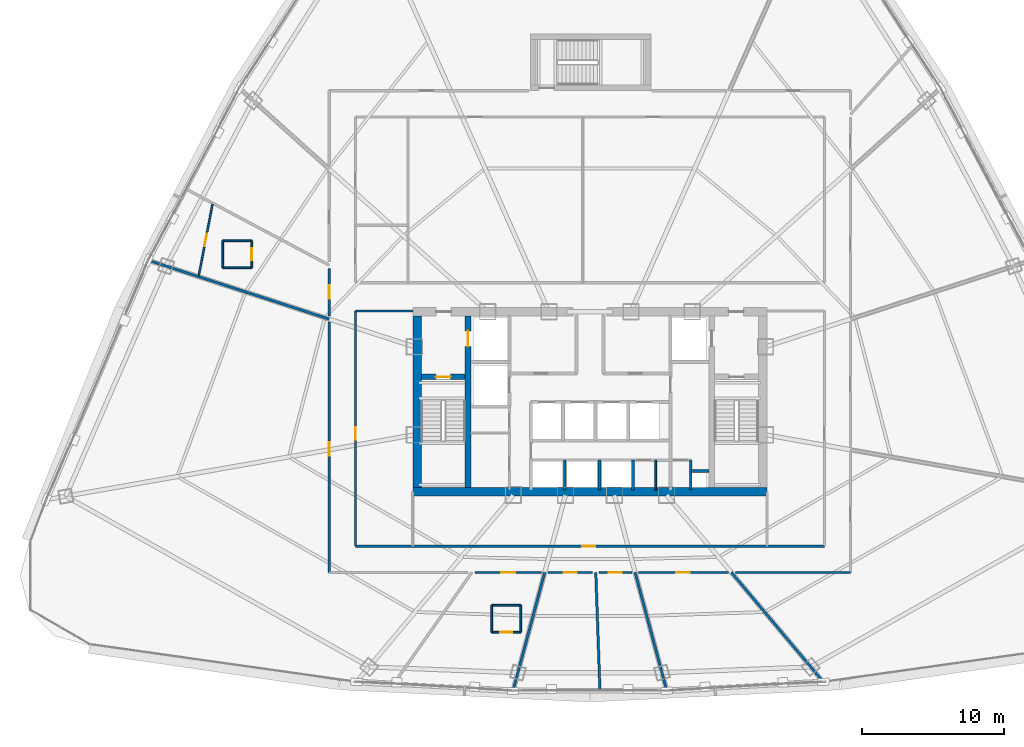
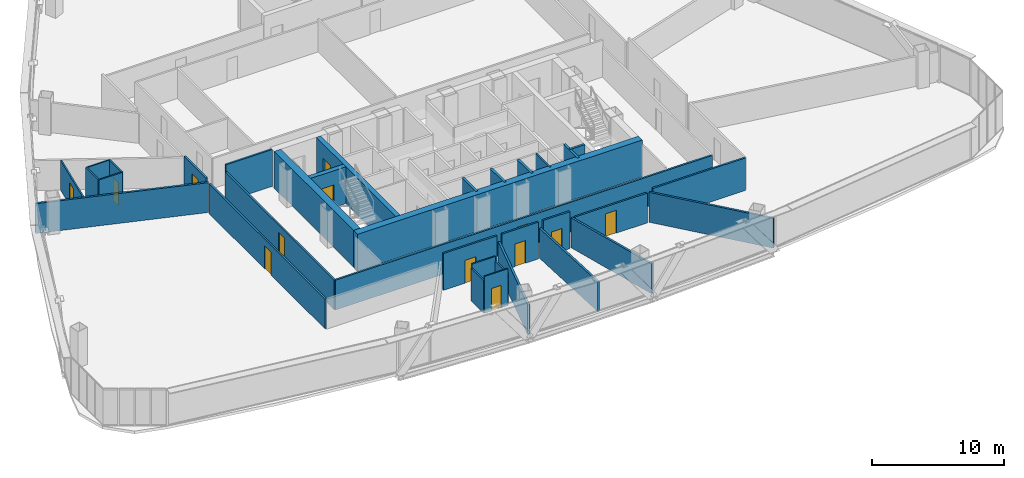
# One storey, part 33 of 40: 34 walls, 13 doors, 13 openings.
"""IFC4 building model written with IfcOpenShell, lengths in metres."""

from ifc_helpers import new_model, si_unit, direction, frame, frame_2d, origin, origin_with_axes, place, context, subcontext, project, spatial, rectangle, extrude, source, transform, mapped, material, layer, layer_set, type_object, element, fill, save


model = new_model("IFC4")

# Units and contexts
model_context = context("Model", 3, precision=1e-05, world=origin(), true_north=direction((0.0, 1.0)))
body_context = subcontext(model_context, "Body", "Model", "MODEL_VIEW")
ifc_project = project(units=[si_unit("LENGTHUNIT", "METRE"), si_unit("AREAUNIT", "SQUARE_METRE"), si_unit("VOLUMEUNIT", "CUBIC_METRE"), si_unit("PLANEANGLEUNIT", "RADIAN"), si_unit("MASSUNIT", "GRAM", prefix="KILO"), si_unit("THERMODYNAMICTEMPERATUREUNIT", "KELVIN"), si_unit("POWERUNIT", "WATT")], contexts=[model_context])

# Site, building, storey
site_placement = place(None, origin())
site = spatial("IfcSite", under=ifc_project, at=site_placement, CompositionType="ELEMENT")
building_placement = place(site_placement, origin())
building = spatial("IfcBuilding", under=site, at=building_placement, Name="Yunzhuo Pagoda Commons", CompositionType="ELEMENT")
storey_placement = place(building_placement, frame((0.0, 0.0, 159.27001953125)))
storey = spatial("IfcBuildingStorey", under=building, at=storey_placement, Name="L40", CompositionType="ELEMENT", Elevation=159.27001953125)

# Walls
ifc_material_1 = material(Name="Concrete C60", Category="concrete")
ifc_layer_1 = layer(ifc_material_1, 0.60009765625)
ifc_layer_set_1 = layer_set([ifc_layer_1], Name="Concrete C60")
wall_type_1 = type_object("IfcWallType", Name="W-C02 Mid Core Shear Wall 600", PredefinedType="SHEAR", material=ifc_layer_set_1)
wall_1_placement = place(storey_placement, frame((35.5, 27.5, 0.0), z_axis=(0.0, 0.0, 1.0), x_axis=(1.0, 0.0, 0.0)))
element("IfcWall", 1, at=wall_1_placement, inside=storey, type_object=wall_type_1, Name="L40 core shear wall S", PredefinedType="SHEAR", context=body_context, shape_type="SweptSolid", body=[
    extrude(rectangle(XDim=25.0, YDim=0.60009765625, at=frame_2d((12.5, 0.0))), origin(), (0.0, 0.0, 1.0), 3.419921875),
])
wall_2_placement = place(storey_placement, frame((35.800048828125, 27.800048828125, 0.0), z_axis=(0.0, 0.0, 1.0), x_axis=(0.0, 1.0, 0.0)))
element("IfcWall", 2, at=wall_2_placement, inside=storey, type_object=wall_type_1, Name="L40 core shear wall W", PredefinedType="SHEAR", context=body_context, shape_type="SweptSolid", body=[
    extrude(rectangle(XDim=12.099853515625, YDim=0.60009765625, at=frame_2d((6.0498046875, 0.0))), origin(), (0.0, 0.0, 1.0), 3.419921875),
])

# Wall, opening, door
ifc_material_2 = material(Name="Gypsum plasterboard on acoustic stud")
ifc_layer_2 = layer(ifc_material_2, 0.155029296875)
ifc_layer_set_2 = layer_set([ifc_layer_2], Name="Gypsum plasterboard on acoustic stud")
wall_type_2 = type_object("IfcWallType", Name="W-COR2 Mid-Zone Rated Corridor Wall 155", PredefinedType="PARTITIONING", material=ifc_layer_set_2)
wall_3_placement = place(storey_placement, frame((31.449951171875, 23.64990234375, 0.0), z_axis=(0.0, 0.0, 1.0), x_axis=(0.0, 1.0, 0.0)))
wall_3 = element("IfcWall", 3, at=wall_3_placement, inside=storey, type_object=wall_type_2, Name="L40 interior wall IW-L40-SFLW", PredefinedType="PARTITIONING", context=body_context, shape_type="SweptSolid", body=[
    extrude(rectangle(XDim=16.60009765625, YDim=0.155029296875, at=frame_2d((8.300048828125, 0.0))), origin(), (0.0, 0.0, 1.0), 2.77001953125),
])
opening_1_placement = place(wall_3_placement, frame((7.5, 0.0, 0.0)))
opening_1 = element("IfcOpeningElement", 4, at=opening_1_placement, cuts=wall_3, Name="Opening D-12", PredefinedType="OPENING", context=body_context, shape_type="SweptSolid", body=[
    extrude(rectangle(XDim=0.89990234375, YDim=2.080078125, at=frame_2d((0.449951171875, 1.0400390625))), frame((0.0, 0.08740234375, 0.0), z_axis=(0.0, -1.0, 0.0), x_axis=(1.0, 0.0, 0.0)), (0.0, 0.0, 1.0), 0.175048828125),
])
ifc_material_3 = material(Name="Powder-coated aluminium and timber acoustic leaf", Category="wood")
door_type_1 = type_object("IfcDoorType", Name="D-12 Quiet Study Interior Door 900x2080", OperationType="NOTDEFINED", PredefinedType="DOOR", material=ifc_material_3)
shared_shape_1 = source(origin(), body_context, "Body", "SweptSolid", [
    extrude(rectangle(XDim=0.89990234375, YDim=2.080078125, at=frame_2d((0.449951171875, 1.0400390625))), frame((0.0, 0.02490234375, 0.0), z_axis=(0.0, -1.0, 0.0), x_axis=(1.0, 0.0, 0.0)), (0.0, 0.0, 1.0), 0.050048828125),
])
door_1_placement = place(opening_1_placement, origin_with_axes())
door_1 = element("IfcDoor", 5, at=door_1_placement, inside=storey, type_object=door_type_1, Name="L40 west study workroom door", OperationType="SINGLE_SWING_LEFT", OverallHeight=2.080078125, OverallWidth=0.89990234375, PredefinedType="DOOR", context=body_context, shape_type="MappedRepresentation", body=[
    mapped(shared_shape_1, transform((0.0, 0.0, 0.0), scale=1.0)),
])
fill(opening_1, door_1)

wall_4_placement = place(storey_placement, frame((31.449951171875, 23.64990234375, 0.0), z_axis=(0.0, 0.0, 1.0), x_axis=(1.0, 0.0, 0.0)))
wall_4 = element("IfcWall", 6, at=wall_4_placement, inside=storey, type_object=wall_type_2, Name="L40 interior wall IW-L40-SFLS", PredefinedType="PARTITIONING", context=body_context, shape_type="SweptSolid", body=[
    extrude(rectangle(XDim=33.10009765625, YDim=0.155029296875, at=frame_2d((16.550048828125, 0.0))), origin(), (0.0, 0.0, 1.0), 2.77001953125),
])
opening_2_placement = place(wall_4_placement, frame((16.0, 0.0, 0.0)))
opening_2 = element("IfcOpeningElement", 7, at=opening_2_placement, cuts=wall_4, Name="Opening D-04", PredefinedType="OPENING", context=body_context, shape_type="SweptSolid", body=[
    extrude(rectangle(XDim=0.919921875, YDim=2.10009765625, at=frame_2d((0.4599609375, 1.050048828125))), frame((0.0, 0.08740234375, 0.0), z_axis=(0.0, -1.0, 0.0), x_axis=(1.0, 0.0, 0.0)), (0.0, 0.0, 1.0), 0.175048828125),
])
door_type_2 = type_object("IfcDoorType", Name="D-04 Bedroom & Study Interior Door 920x2100", OperationType="NOTDEFINED", PredefinedType="DOOR", material=ifc_material_3)
shared_shape_2 = source(origin(), body_context, "Body", "SweptSolid", [
    extrude(rectangle(XDim=0.919921875, YDim=2.10009765625, at=frame_2d((0.4599609375, 1.050048828125))), frame((0.0, 0.02490234375, 0.0), z_axis=(0.0, -1.0, 0.0), x_axis=(1.0, 0.0, 0.0)), (0.0, 0.0, 1.0), 0.050048828125),
])
door_2_placement = place(opening_2_placement, frame((0.919921875, 0.0, 0.0), z_axis=(0.0, 0.0, 1.0), x_axis=(-1.0, 0.0, 0.0)))
door_2 = element("IfcDoor", 8, at=door_2_placement, inside=storey, type_object=door_type_2, Name="L40 south seminar room door", OperationType="SINGLE_SWING_RIGHT", OverallHeight=2.10009765625, OverallWidth=0.919921875, PredefinedType="DOOR", context=body_context, shape_type="MappedRepresentation", body=[
    mapped(shared_shape_2, transform((0.0, 0.0, 0.0), scale=1.0)),
])
fill(opening_2, door_2)

# Wall
wall_5_placement = place(storey_placement, frame((31.449951171875, 40.25, 0.0), z_axis=(0.0, 0.0, 1.0), x_axis=(1.0, 0.0, 0.0)))
element("IfcWall", 9, at=wall_5_placement, inside=storey, type_object=wall_type_2, Name="L40 interior wall IW-L40-SFLNW", PredefinedType="PARTITIONING", context=body_context, shape_type="SweptSolid", body=[
    extrude(rectangle(XDim=4.050048828125, YDim=0.155029296875, at=frame_2d((2.02490234375, 0.0))), origin(), (0.0, 0.0, 1.0), 3.419921875),
])

# Wall, opening, door
wall_6_placement = place(storey_placement, frame((29.60009765625, 21.800048828125, 0.0), z_axis=(0.0, 0.0, 1.0), x_axis=(0.0, 1.0, 0.0)))
wall_6 = element("IfcWall", 10, at=wall_6_placement, inside=storey, type_object=wall_type_2, Name="L40 interior wall IW-L40-CWL01", PredefinedType="PARTITIONING", context=body_context, shape_type="SweptSolid", body=[
    extrude(rectangle(XDim=17.65869140625, YDim=0.155029296875, at=frame_2d((8.829345703125, 0.0))), origin(), (0.0, 0.0, 1.0), 2.77001953125),
])
opening_3_placement = place(wall_6_placement, frame((8.234375, 0.0, 0.0)))
opening_3 = element("IfcOpeningElement", 11, at=opening_3_placement, cuts=wall_6, Name="Opening D-07", PredefinedType="OPENING", context=body_context, shape_type="SweptSolid", body=[
    extrude(rectangle(XDim=0.9599609375, YDim=2.1201171875, at=frame_2d((0.47998046875, 1.06005859375))), frame((0.0, 0.08740234375, 0.0), z_axis=(0.0, -1.0, 0.0), x_axis=(1.0, 0.0, 0.0)), (0.0, 0.0, 1.0), 0.175048828125),
])
ifc_material_4 = material(Name="Galvanized fire-resisting metal leaf")
door_type_3 = type_object("IfcDoorType", Name="D-07 Mid-Zone Suite Entrance Fire Door 960x2120", OperationType="NOTDEFINED", PredefinedType="DOOR", material=ifc_material_4)
shared_shape_3 = source(origin(), body_context, "Body", "SweptSolid", [
    extrude(rectangle(XDim=0.9599609375, YDim=2.1201171875, at=frame_2d((0.47998046875, 1.06005859375))), frame((0.0, 0.02490234375, 0.0), z_axis=(0.0, -1.0, 0.0), x_axis=(1.0, 0.0, 0.0)), (0.0, 0.0, 1.0), 0.050048828125),
])
door_3_placement = place(opening_3_placement, origin_with_axes())
door_3 = element("IfcDoor", 12, at=door_3_placement, inside=storey, type_object=door_type_3, Name="L40 Resident Co-Living Commons Hall door", OperationType="SINGLE_SWING_RIGHT", OverallHeight=2.1201171875, OverallWidth=0.9599609375, PredefinedType="DOOR", context=body_context, shape_type="MappedRepresentation", body=[
    mapped(shared_shape_3, transform((0.0, 0.0, 0.0), scale=1.0)),
])
fill(opening_3, door_3)

wall_7_placement = place(storey_placement, frame((29.60009765625, 39.909912109375, 0.0), z_axis=(0.0, 0.0, 1.0), x_axis=(0.0, 1.0, 0.0)))
wall_7 = element("IfcWall", 13, at=wall_7_placement, inside=storey, type_object=wall_type_2, Name="L40 interior wall IW-L40-CWL02", PredefinedType="PARTITIONING", context=body_context, shape_type="SweptSolid", body=[
    extrude(rectangle(XDim=3.353515625, YDim=0.155029296875, at=frame_2d((1.6767578125, 0.0))), origin(), (0.0, 0.0, 1.0), 3.02001953125),
])
opening_4_placement = place(wall_7_placement, frame((1.1962890625, 0.0, 0.0)))
opening_4 = element("IfcOpeningElement", 14, at=opening_4_placement, cuts=wall_7, Name="Opening D-07", PredefinedType="OPENING", context=body_context, shape_type="SweptSolid", body=[
    extrude(rectangle(XDim=0.9599609375, YDim=2.1201171875, at=frame_2d((0.47998046875, 1.06005859375))), frame((0.0, 0.08740234375, 0.0), z_axis=(0.0, -1.0, 0.0), x_axis=(1.0, 0.0, 0.0)), (0.0, 0.0, 1.0), 0.175048828125),
])
door_4_placement = place(opening_4_placement, origin_with_axes())
door_4 = element("IfcDoor", 15, at=door_4_placement, inside=storey, type_object=door_type_3, Name="L40 unit 07 entrance door", OperationType="SINGLE_SWING_LEFT", OverallHeight=2.1201171875, OverallWidth=0.9599609375, PredefinedType="DOOR", context=body_context, shape_type="MappedRepresentation", body=[
    mapped(shared_shape_3, transform((0.0, 0.0, 0.0), scale=1.0)),
])
fill(opening_4, door_4)

# Wall
wall_8_placement = place(storey_placement, frame((66.39990234375, 21.800048828125, 0.0), z_axis=(0.0, 0.0, 1.0), x_axis=(-1.0, 0.0, 0.0)))
element("IfcWall", 16, at=wall_8_placement, inside=storey, type_object=wall_type_2, Name="L40 interior wall IW-L40-CWL13", PredefinedType="PARTITIONING", context=body_context, shape_type="SweptSolid", body=[
    extrude(rectangle(XDim=8.12744140625, YDim=0.155029296875, at=frame_2d((4.063720703125, 0.0))), origin(), (0.0, 0.0, 1.0), 3.02001953125),
])

# Wall, opening, door
wall_9_placement = place(storey_placement, frame((57.765380859375, 21.800048828125, 0.0), z_axis=(0.0, 0.0, 1.0), x_axis=(-1.0, 0.0, 0.0)))
wall_9 = element("IfcWall", 17, at=wall_9_placement, inside=storey, type_object=wall_type_2, Name="L40 interior wall IW-L40-CWL14", PredefinedType="PARTITIONING", context=body_context, shape_type="SweptSolid", body=[
    extrude(rectangle(XDim=6.348876953125, YDim=0.155029296875, at=frame_2d((3.17431640625, 0.0))), origin(), (0.0, 0.0, 1.0), 2.77001953125),
])
opening_5_placement = place(wall_9_placement, frame((2.703369140625, 0.0, 0.0)))
opening_5 = element("IfcOpeningElement", 18, at=opening_5_placement, cuts=wall_9, Name="Opening D-07", PredefinedType="OPENING", context=body_context, shape_type="SweptSolid", body=[
    extrude(rectangle(XDim=0.9599609375, YDim=2.1201171875, at=frame_2d((0.47998046875, 1.06005859375))), frame((0.0, 0.08740234375, 0.0), z_axis=(0.0, -1.0, 0.0), x_axis=(1.0, 0.0, 0.0)), (0.0, 0.0, 1.0), 0.175048828125),
])
door_5_placement = place(opening_5_placement, origin_with_axes())
door_5 = element("IfcDoor", 19, at=door_5_placement, inside=storey, type_object=door_type_3, Name="L40 unit 12 entrance door", OperationType="SINGLE_SWING_RIGHT", OverallHeight=2.1201171875, OverallWidth=0.9599609375, PredefinedType="DOOR", context=body_context, shape_type="MappedRepresentation", body=[
    mapped(shared_shape_3, transform((0.0, 0.0, 0.0), scale=1.0)),
])
fill(opening_5, door_5)

wall_10_placement = place(storey_placement, frame((50.96875, 21.800048828125, 0.0), z_axis=(0.0, 0.0, 1.0), x_axis=(-1.0, 0.0, 0.0)))
wall_10 = element("IfcWall", 20, at=wall_10_placement, inside=storey, type_object=wall_type_2, Name="L40 interior wall IW-L40-CWL15", PredefinedType="PARTITIONING", context=body_context, shape_type="SweptSolid", body=[
    extrude(rectangle(XDim=2.3330078125, YDim=0.155029296875, at=frame_2d((1.16650390625, 0.0))), origin(), (0.0, 0.0, 1.0), 3.419921875),
])
opening_6_placement = place(wall_10_placement, frame((0.706787109375, 0.0, 0.0)))
opening_6 = element("IfcOpeningElement", 21, at=opening_6_placement, cuts=wall_10, Name="Opening D-04", PredefinedType="OPENING", context=body_context, shape_type="SweptSolid", body=[
    extrude(rectangle(XDim=0.919921875, YDim=2.10009765625, at=frame_2d((0.4599609375, 1.050048828125))), frame((0.0, 0.08740234375, 0.0), z_axis=(0.0, -1.0, 0.0), x_axis=(1.0, 0.0, 0.0)), (0.0, 0.0, 1.0), 0.175048828125),
])
door_6_placement = place(opening_6_placement, origin_with_axes())
door_6 = element("IfcDoor", 22, at=door_6_placement, inside=storey, type_object=door_type_2, Name="L40 fellow workroom 11 door", OperationType="SINGLE_SWING_LEFT", OverallHeight=2.10009765625, OverallWidth=0.919921875, PredefinedType="DOOR", context=body_context, shape_type="MappedRepresentation", body=[
    mapped(shared_shape_2, transform((0.0, 0.0, 0.0), scale=1.0)),
])
fill(opening_6, door_6)

wall_11_placement = place(storey_placement, frame((48.19580078125, 21.800048828125, 0.0), z_axis=(0.0, 0.0, 1.0), x_axis=(-1.0, 0.0, 0.0)))
wall_11 = element("IfcWall", 23, at=wall_11_placement, inside=storey, type_object=wall_type_2, Name="L40 interior wall IW-L40-CWL16", PredefinedType="PARTITIONING", context=body_context, shape_type="SweptSolid", body=[
    extrude(rectangle(XDim=3.16455078125, YDim=0.155029296875, at=frame_2d((1.582275390625, 0.0))), origin(), (0.0, 0.0, 1.0), 3.419921875),
])
opening_7_placement = place(wall_11_placement, frame((1.122314453125, 0.0, 0.0)))
opening_7 = element("IfcOpeningElement", 24, at=opening_7_placement, cuts=wall_11, Name="Opening D-04", PredefinedType="OPENING", context=body_context, shape_type="SweptSolid", body=[
    extrude(rectangle(XDim=0.919921875, YDim=2.10009765625, at=frame_2d((0.4599609375, 1.050048828125))), frame((0.0, 0.08740234375, 0.0), z_axis=(0.0, -1.0, 0.0), x_axis=(1.0, 0.0, 0.0)), (0.0, 0.0, 1.0), 0.175048828125),
])
door_7_placement = place(opening_7_placement, origin_with_axes())
door_7 = element("IfcDoor", 25, at=door_7_placement, inside=storey, type_object=door_type_2, Name="L40 fellow workroom 10 door", OperationType="SINGLE_SWING_RIGHT", OverallHeight=2.10009765625, OverallWidth=0.919921875, PredefinedType="DOOR", context=body_context, shape_type="MappedRepresentation", body=[
    mapped(shared_shape_2, transform((0.0, 0.0, 0.0), scale=1.0)),
])
fill(opening_7, door_7)

wall_12_placement = place(storey_placement, frame((44.58349609375, 21.800048828125, 0.0), z_axis=(0.0, 0.0, 1.0), x_axis=(-1.0, 0.0, 0.0)))
wall_12 = element("IfcWall", 26, at=wall_12_placement, inside=storey, type_object=wall_type_2, Name="L40 interior wall IW-L40-CWL17", PredefinedType="PARTITIONING", context=body_context, shape_type="SweptSolid", body=[
    extrude(rectangle(XDim=4.6962890625, YDim=0.155029296875, at=frame_2d((2.34814453125, 0.0))), origin(), (0.0, 0.0, 1.0), 3.419921875),
])
opening_8_placement = place(wall_12_placement, frame((1.869140625, 0.0, 0.0)))
opening_8 = element("IfcOpeningElement", 27, at=opening_8_placement, cuts=wall_12, Name="Opening D-07", PredefinedType="OPENING", context=body_context, shape_type="SweptSolid", body=[
    extrude(rectangle(XDim=0.9599609375, YDim=2.1201171875, at=frame_2d((0.47998046875, 1.06005859375))), frame((0.0, 0.08740234375, 0.0), z_axis=(0.0, -1.0, 0.0), x_axis=(1.0, 0.0, 0.0)), (0.0, 0.0, 1.0), 0.175048828125),
])
door_8_placement = place(opening_8_placement, origin_with_axes())
door_8 = element("IfcDoor", 28, at=door_8_placement, inside=storey, type_object=door_type_3, Name="L40 unit 09 entrance door", OperationType="SINGLE_SWING_LEFT", OverallHeight=2.1201171875, OverallWidth=0.9599609375, PredefinedType="DOOR", context=body_context, shape_type="MappedRepresentation", body=[
    mapped(shared_shape_3, transform((0.0, 0.0, 0.0), scale=1.0)),
])
fill(opening_8, door_8)

# Walls
ifc_layer_3 = layer(ifc_material_2, 0.1201171875)
ifc_layer_set_3 = layer_set([ifc_layer_3], Name="Gypsum plasterboard on acoustic stud")
wall_type_3 = type_object("IfcWallType", Name="W-PRT1 Suite & Bathroom Partition 120", PredefinedType="PARTITIONING", material=ifc_layer_set_3)
wall_13_placement = place(storey_placement, frame((52.64990234375, 27.60009765625, 0.0), z_axis=(0.0, 0.0, 1.0), x_axis=(0.0, 1.0, 0.0)))
element("IfcWall", 29, at=wall_13_placement, inside=storey, type_object=wall_type_3, Name="L40 interior wall IW-L40-CD2", PredefinedType="PARTITIONING", context=body_context, shape_type="SweptSolid", body=[
    extrude(rectangle(XDim=2.119873046875, YDim=0.1201171875, at=frame_2d((1.06005859375, 0.0))), origin(), (0.0, 0.0, 1.0), 3.419921875),
])
wall_14_placement = place(storey_placement, frame((22.080078125, 43.31005859375, 0.0), z_axis=(0.0, 0.0, 1.0), x_axis=(1.0, 0.0, 0.0)))
element("IfcWall", 30, at=wall_14_placement, inside=storey, type_object=wall_type_3, Name="L40 interior wall IW-L40-B07S", PredefinedType="PARTITIONING", context=body_context, shape_type="SweptSolid", body=[
    extrude(rectangle(XDim=2.0498046875, YDim=0.1201171875, at=frame_2d((1.02490234375, 0.0))), origin(), (0.0, 0.0, 1.0), 3.419921875),
])

# Wall, opening, door
wall_15_placement = place(storey_placement, frame((24.1298828125, 43.31005859375, 0.0), z_axis=(0.0, 0.0, 1.0), x_axis=(0.0, 1.0, 0.0)))
wall_15 = element("IfcWall", 31, at=wall_15_placement, inside=storey, type_object=wall_type_3, Name="L40 interior wall IW-L40-B07E", PredefinedType="PARTITIONING", context=body_context, shape_type="SweptSolid", body=[
    extrude(rectangle(XDim=1.89990234375, YDim=0.1201171875, at=frame_2d((0.949951171875, 0.0))), origin(), (0.0, 0.0, 1.0), 3.419921875),
])
opening_9_placement = place(wall_15_placement, frame((0.52490234375, 0.0, 0.0)))
opening_9 = element("IfcOpeningElement", 32, at=opening_9_placement, cuts=wall_15, Name="Opening D-05", PredefinedType="OPENING", context=body_context, shape_type="SweptSolid", body=[
    extrude(rectangle(XDim=0.85009765625, YDim=2.10009765625, at=frame_2d((0.425048828125, 1.050048828125))), frame((0.0, 0.070068359375, 0.0), z_axis=(0.0, -1.0, 0.0), x_axis=(1.0, 0.0, 0.0)), (0.0, 0.0, 1.0), 0.14013671875),
])
door_type_4 = type_object("IfcDoorType", Name="D-05 En-Suite Bathroom Door 850x2100", OperationType="NOTDEFINED", PredefinedType="DOOR", material=ifc_material_3)
shared_shape_4 = source(origin(), body_context, "Body", "SweptSolid", [
    extrude(rectangle(XDim=0.85009765625, YDim=2.10009765625, at=frame_2d((0.425048828125, 1.050048828125))), frame((0.0, 0.02490234375, 0.0), z_axis=(0.0, -1.0, 0.0), x_axis=(1.0, 0.0, 0.0)), (0.0, 0.0, 1.0), 0.050048828125),
])
door_9_placement = place(opening_9_placement, frame((0.85009765625, 0.0, 0.0), z_axis=(0.0, 0.0, 1.0), x_axis=(-1.0, 0.0, 0.0)))
door_9 = element("IfcDoor", 33, at=door_9_placement, inside=storey, type_object=door_type_4, Name="L40 unit 07 bathroom door", OperationType="SINGLE_SWING_LEFT", OverallHeight=2.10009765625, OverallWidth=0.85009765625, PredefinedType="DOOR", context=body_context, shape_type="MappedRepresentation", body=[
    mapped(shared_shape_4, transform((0.0, 0.0, 0.0), scale=1.0)),
])
fill(opening_9, door_9)

# Walls
wall_16_placement = place(storey_placement, frame((24.1298828125, 45.2099609375, 0.0), z_axis=(0.0, 0.0, 1.0), x_axis=(-1.0, 0.0, 0.0)))
element("IfcWall", 34, at=wall_16_placement, inside=storey, type_object=wall_type_3, Name="L40 interior wall IW-L40-B07N", PredefinedType="PARTITIONING", context=body_context, shape_type="SweptSolid", body=[
    extrude(rectangle(XDim=2.0498046875, YDim=0.1201171875, at=frame_2d((1.02490234375, 0.0))), origin(), (0.0, 0.0, 1.0), 3.419921875),
])
wall_17_placement = place(storey_placement, frame((22.080078125, 45.2099609375, 0.0), z_axis=(0.0, 0.0, 1.0), x_axis=(0.0, -1.0, 0.0)))
element("IfcWall", 35, at=wall_17_placement, inside=storey, type_object=wall_type_3, Name="L40 interior wall IW-L40-B07W", PredefinedType="PARTITIONING", context=body_context, shape_type="SweptSolid", body=[
    extrude(rectangle(XDim=1.89990234375, YDim=0.1201171875, at=frame_2d((0.949951171875, 0.0))), origin(), (0.0, 0.0, 1.0), 3.419921875),
])

# Wall, opening, door
wall_18_placement = place(storey_placement, frame((21.363525390625, 47.794921875, 0.0), z_axis=(0.0, 0.0, 1.0), x_axis=(-0.188731428073, -0.982028740953, 0.0)))
wall_18 = element("IfcWall", 36, at=wall_18_placement, inside=storey, type_object=wall_type_3, Name="L40 interior wall IW-L40-CLB07", PredefinedType="PARTITIONING", context=body_context, shape_type="SweptSolid", body=[
    extrude(rectangle(XDim=5.153564453125, YDim=0.1201171875, at=frame_2d((2.57666015625, 0.0))), origin(), (0.0, 0.0, 1.0), 2.77001953125),
])
opening_10_placement = place(wall_18_placement, frame((2.116943359375, 0.0, 0.0)))
opening_10 = element("IfcOpeningElement", 37, at=opening_10_placement, cuts=wall_18, Name="Opening D-04", PredefinedType="OPENING", context=body_context, shape_type="SweptSolid", body=[
    extrude(rectangle(XDim=0.919921875, YDim=2.10009765625, at=frame_2d((0.4599609375, 1.050048828125))), frame((0.0, 0.070068359375, 0.0), z_axis=(0.0, -1.0, 0.0), x_axis=(1.0, 0.0, 0.0)), (0.0, 0.0, 1.0), 0.14013671875),
])
door_10_placement = place(opening_10_placement, origin_with_axes())
door_10 = element("IfcDoor", 38, at=door_10_placement, inside=storey, type_object=door_type_2, Name="L40 suite 07 bedroom door", OperationType="SINGLE_SWING_LEFT", OverallHeight=2.10009765625, OverallWidth=0.919921875, PredefinedType="DOOR", context=body_context, shape_type="MappedRepresentation", body=[
    mapped(shared_shape_2, transform((0.0, 0.0, 0.0), scale=1.0)),
])
fill(opening_10, door_10)

wall_19_placement = place(storey_placement, frame((41.06689453125, 17.5810546875, 0.0), z_axis=(0.0, 0.0, 1.0), x_axis=(1.0, 0.0, 0.0)))
wall_19 = element("IfcWall", 39, at=wall_19_placement, inside=storey, type_object=wall_type_3, Name="L40 interior wall IW-L40-B09S", PredefinedType="PARTITIONING", context=body_context, shape_type="SweptSolid", body=[
    extrude(rectangle(XDim=2.050048828125, YDim=0.1201171875, at=frame_2d((1.02490234375, 0.0))), origin(), (0.0, 0.0, 1.0), 3.419921875),
])
opening_11_placement = place(wall_19_placement, frame((0.60009765625, 0.0, 0.0)))
opening_11 = element("IfcOpeningElement", 40, at=opening_11_placement, cuts=wall_19, Name="Opening D-05", PredefinedType="OPENING", context=body_context, shape_type="SweptSolid", body=[
    extrude(rectangle(XDim=0.85009765625, YDim=2.10009765625, at=frame_2d((0.425048828125, 1.050048828125))), frame((0.0, 0.070068359375, 0.0), z_axis=(0.0, -1.0, 0.0), x_axis=(1.0, 0.0, 0.0)), (0.0, 0.0, 1.0), 0.14013671875),
])
door_11_placement = place(opening_11_placement, frame((0.85009765625, 0.0, 0.0), z_axis=(0.0, 0.0, 1.0), x_axis=(-1.0, 0.0, 0.0)))
door_11 = element("IfcDoor", 41, at=door_11_placement, inside=storey, type_object=door_type_4, Name="L40 unit 09 bathroom door", OperationType="SINGLE_SWING_LEFT", OverallHeight=2.10009765625, OverallWidth=0.85009765625, PredefinedType="DOOR", context=body_context, shape_type="MappedRepresentation", body=[
    mapped(shared_shape_4, transform((0.0, 0.0, 0.0), scale=1.0)),
])
fill(opening_11, door_11)

# Walls
wall_20_placement = place(storey_placement, frame((43.116943359375, 17.5810546875, 0.0), z_axis=(0.0, 0.0, 1.0), x_axis=(0.0, 1.0, 0.0)))
element("IfcWall", 42, at=wall_20_placement, inside=storey, type_object=wall_type_3, Name="L40 interior wall IW-L40-B09E", PredefinedType="PARTITIONING", context=body_context, shape_type="SweptSolid", body=[
    extrude(rectangle(XDim=1.89990234375, YDim=0.1201171875, at=frame_2d((0.949951171875, 0.0))), origin(), (0.0, 0.0, 1.0), 3.02001953125),
])
wall_21_placement = place(storey_placement, frame((43.116943359375, 19.48095703125, 0.0), z_axis=(0.0, 0.0, 1.0), x_axis=(-1.0, 0.0, 0.0)))
element("IfcWall", 43, at=wall_21_placement, inside=storey, type_object=wall_type_3, Name="L40 interior wall IW-L40-B09N", PredefinedType="PARTITIONING", context=body_context, shape_type="SweptSolid", body=[
    extrude(rectangle(XDim=2.050048828125, YDim=0.1201171875, at=frame_2d((1.02490234375, 0.0))), origin(), (0.0, 0.0, 1.0), 3.419921875),
])
wall_22_placement = place(storey_placement, frame((41.06689453125, 19.48095703125, 0.0), z_axis=(0.0, 0.0, 1.0), x_axis=(0.0, -1.0, 0.0)))
element("IfcWall", 44, at=wall_22_placement, inside=storey, type_object=wall_type_3, Name="L40 interior wall IW-L40-B09W", PredefinedType="PARTITIONING", context=body_context, shape_type="SweptSolid", body=[
    extrude(rectangle(XDim=1.89990234375, YDim=0.1201171875, at=frame_2d((0.949951171875, 0.0))), origin(), (0.0, 0.0, 1.0), 3.02001953125),
])
ifc_layer_4 = layer(ifc_material_2, 0.175048828125)
ifc_layer_set_4 = layer_set([ifc_layer_4], Name="Gypsum plasterboard on acoustic stud")
wall_type_4 = type_object("IfcWallType", Name="W-PRT3 Mid-Zone Demising Wall 175", PredefinedType="PARTITIONING", material=ifc_layer_set_4)
wall_23_placement = place(storey_placement, frame((29.60009765625, 39.678466796875, 0.0), z_axis=(0.0, 0.0, 1.0), x_axis=(-0.951059027278, 0.309009266259, 0.0)))
element("IfcWall", 45, at=wall_23_placement, inside=storey, type_object=wall_type_4, Name="L40 interior wall IW-L40-RAD07", PredefinedType="PARTITIONING", context=body_context, shape_type="SweptSolid", body=[
    extrude(rectangle(XDim=13.440673828125, YDim=0.175048828125, at=frame_2d((6.72021484375, 0.0))), origin(), (0.0, 0.0, 1.0), 2.77001953125),
])
wall_24_placement = place(storey_placement, frame((44.811279296875, 21.800048828125, 0.0), z_axis=(0.0, 0.0, 1.0), x_axis=(-0.258790159725, -0.96593356564, 0.0)))
element("IfcWall", 46, at=wall_24_placement, inside=storey, type_object=wall_type_4, Name="L40 interior wall IW-L40-RAD09", PredefinedType="PARTITIONING", context=body_context, shape_type="SweptSolid", body=[
    extrude(rectangle(XDim=8.65087890625, YDim=0.175048828125, at=frame_2d((4.325439453125, 0.0))), origin(), (0.0, 0.0, 1.0), 2.77001953125),
])
wall_25_placement = place(storey_placement, frame((48.41552734375, 21.800048828125, 0.0), z_axis=(0.0, 0.0, 1.0), x_axis=(0.034921859784, -0.999390045833, 0.0)))
element("IfcWall", 47, at=wall_25_placement, inside=storey, type_object=wall_type_4, Name="L40 interior wall IW-L40-RAD10", PredefinedType="PARTITIONING", context=body_context, shape_type="SweptSolid", body=[
    extrude(rectangle(XDim=8.361328125, YDim=0.175048828125, at=frame_2d((4.1806640625, 0.0))), origin(), (0.0, 0.0, 1.0), 2.77001953125),
])
wall_26_placement = place(storey_placement, frame((51.188720703125, 21.800048828125, 0.0), z_axis=(0.0, 0.0, 1.0), x_axis=(0.258790159725, -0.96593356564, 0.0)))
element("IfcWall", 48, at=wall_26_placement, inside=storey, type_object=wall_type_4, Name="L40 interior wall IW-L40-RAD11", PredefinedType="PARTITIONING", context=body_context, shape_type="SweptSolid", body=[
    extrude(rectangle(XDim=8.65087890625, YDim=0.175048828125, at=frame_2d((4.325439453125, 0.0))), origin(), (0.0, 0.0, 1.0), 2.77001953125),
])
wall_27_placement = place(storey_placement, frame((57.9853515625, 21.800048828125, 0.0), z_axis=(0.0, 0.0, 1.0), x_axis=(0.642793186641, -0.766039763464, 0.0)))
element("IfcWall", 49, at=wall_27_placement, inside=storey, type_object=wall_type_4, Name="L40 interior wall IW-L40-RAD12", PredefinedType="PARTITIONING", context=body_context, shape_type="SweptSolid", body=[
    extrude(rectangle(XDim=10.0927734375, YDim=0.175048828125, at=frame_2d((5.04638671875, 0.0))), origin(), (0.0, 0.0, 1.0), 2.77001953125),
])

# Wall, opening, door
ifc_layer_5 = layer(ifc_material_1, 0.39990234375)
ifc_layer_set_5 = layer_set([ifc_layer_5], Name="Concrete C60")
wall_type_5 = type_object("IfcWallType", Name="W-S01 Internal Core Shear Web 400", PredefinedType="SHEAR", material=ifc_layer_set_5)
wall_28_placement = place(storey_placement, frame((39.39990234375, 27.800048828125, 0.0), z_axis=(0.0, 0.0, 1.0), x_axis=(0.0, 1.0, 0.0)))
wall_28 = element("IfcWall", 50, at=wall_28_placement, inside=storey, type_object=wall_type_5, Name="L40 core shear wall WEBW", PredefinedType="SHEAR", context=body_context, shape_type="SweptSolid", body=[
    extrude(rectangle(XDim=12.099853515625, YDim=0.39990234375, at=frame_2d((6.0498046875, 0.0))), origin(), (0.0, 0.0, 1.0), 3.419921875),
])
opening_12_placement = place(wall_28_placement, frame((9.949951171875, 0.0, 0.0)))
opening_12 = element("IfcOpeningElement", 51, at=opening_12_placement, cuts=wall_28, Name="Opening LD-01", PredefinedType="OPENING", context=body_context, shape_type="SweptSolid", body=[
    extrude(rectangle(XDim=1.10009765625, YDim=2.10009765625, at=frame_2d((0.550048828125, 1.050048828125))), frame((0.0, 0.2099609375, 0.0), z_axis=(0.0, -1.0, 0.0), x_axis=(1.0, 0.0, 0.0)), (0.0, 0.0, 1.0), 0.419921875),
])
door_type_5 = type_object("IfcDoorType", Name="LD-01 Firefighting Lift Landing Door 1100x2100", OperationType="DOUBLE_DOOR_SLIDING", PredefinedType="DOOR", material=ifc_material_4)
shared_shape_5 = source(origin(), body_context, "Body", "SweptSolid", [
    extrude(rectangle(XDim=1.10009765625, YDim=2.10009765625, at=frame_2d((0.550048828125, 1.050048828125))), frame((0.0, 0.02490234375, 0.0), z_axis=(0.0, -1.0, 0.0), x_axis=(1.0, 0.0, 0.0)), (0.0, 0.0, 1.0), 0.050048828125),
])
door_12_placement = place(opening_12_placement, frame((1.10009765625, 0.0, 0.0), z_axis=(0.0, 0.0, 1.0), x_axis=(-1.0, 0.0, 0.0)))
door_12 = element("IfcDoor", 52, at=door_12_placement, inside=storey, type_object=door_type_5, Name="L40 Firefighting lift FL-1 landing door", OperationType="DOUBLE_DOOR_SLIDING", OverallHeight=2.10009765625, OverallWidth=1.10009765625, PredefinedType="DOOR", context=body_context, shape_type="MappedRepresentation", body=[
    mapped(shared_shape_5, transform((0.0, 0.0, 0.0), scale=1.0)),
])
fill(opening_12, door_12)

wall_29_placement = place(storey_placement, frame((36.10009765625, 35.60009765625, 0.0), z_axis=(0.0, 0.0, 1.0), x_axis=(1.0, 0.0, 0.0)))
wall_29 = element("IfcWall", 53, at=wall_29_placement, inside=storey, type_object=wall_type_5, Name="L40 core shear wall STW", PredefinedType="SHEAR", context=body_context, shape_type="SweptSolid", body=[
    extrude(rectangle(XDim=3.099853515625, YDim=0.39990234375, at=frame_2d((1.5498046875, 0.0))), origin(), (0.0, 0.0, 1.0), 3.419921875),
])
opening_13_placement = place(wall_29_placement, frame((1.02001953125, 0.0, 0.0)))
opening_13 = element("IfcOpeningElement", 54, at=opening_13_placement, cuts=wall_29, Name="Opening D-01", PredefinedType="OPENING", context=body_context, shape_type="SweptSolid", body=[
    extrude(rectangle(XDim=1.050048828125, YDim=2.10009765625, at=frame_2d((0.52490234375, 1.050048828125))), frame((0.0, 0.2099609375, 0.0), z_axis=(0.0, -1.0, 0.0), x_axis=(1.0, 0.0, 0.0)), (0.0, 0.0, 1.0), 0.419921875),
])
door_type_6 = type_object("IfcDoorType", Name="D-01 Smokeproof Stair Fire Door 1050x2100", OperationType="NOTDEFINED", PredefinedType="DOOR", material=ifc_material_4)
shared_shape_6 = source(origin(), body_context, "Body", "SweptSolid", [
    extrude(rectangle(XDim=1.050048828125, YDim=2.10009765625, at=frame_2d((0.52490234375, 1.050048828125))), frame((0.0, 0.02490234375, 0.0), z_axis=(0.0, -1.0, 0.0), x_axis=(1.0, 0.0, 0.0)), (0.0, 0.0, 1.0), 0.050048828125),
])
door_13_placement = place(opening_13_placement, frame((1.050048828125, 0.0, 0.0), z_axis=(0.0, 0.0, 1.0), x_axis=(-1.0, 0.0, 0.0)))
door_13 = element("IfcDoor", 55, at=door_13_placement, inside=storey, type_object=door_type_6, Name="L40 Stair ST1 fire door", OperationType="SINGLE_SWING_LEFT", OverallHeight=2.10009765625, OverallWidth=1.050048828125, PredefinedType="DOOR", context=body_context, shape_type="MappedRepresentation", body=[
    mapped(shared_shape_6, transform((0.0, 0.0, 0.0), scale=1.0)),
])
fill(opening_13, door_13)

# Walls
ifc_material_5 = material(Name="Concrete C40", Category="concrete")
ifc_layer_6 = layer(ifc_material_5, 0.199951171875)
ifc_layer_set_6 = layer_set([ifc_layer_6], Name="Concrete C40")
wall_type_6 = type_object("IfcWallType", Name="W-SHF Shaft & Stair Enclosure Wall 200", PredefinedType="SOLIDWALL", material=ifc_layer_set_6)
for number, where, z_axis, x_axis, name in (
    (56, (51.050048828125, 27.60009765625, 0.0), (0.0, 0.0, 1.0), (0.0, 1.0, 0.0), "L40 interior wall IW-L40-PLHE"),
    (57, (46.22509765625, 27.60009765625, 0.0), (0.0, 0.0, 1.0), (0.0, 1.0, 0.0), "L40 interior wall IW-L40-PLHD1"),
    (58, (48.675048828125, 27.60009765625, 0.0), (0.0, 0.0, 1.0), (0.0, 1.0, 0.0), "L40 interior wall IW-L40-PLHD2"),
    (59, (55.1201171875, 27.60009765625, 0.0), (0.0, 0.0, 1.0), (0.0, 1.0, 0.0), "L40 interior wall IW-L40-RSHFW"),
):
    element("IfcWall", number, at=place(storey_placement, frame(where, z_axis=z_axis, x_axis=x_axis)), inside=storey, type_object=wall_type_6, Name=name, PredefinedType="SOLIDWALL", context=body_context, shape_type="SweptSolid", body=[
        extrude(rectangle(XDim=2.119873046875, YDim=0.199951171875, at=frame_2d((1.06005859375, 0.0))), origin(), (0.0, 0.0, 1.0), 3.419921875),
    ])
wall_30_placement = place(storey_placement, frame((55.1201171875, 28.949951171875, 0.0), z_axis=(0.0, 0.0, 1.0), x_axis=(1.0, 0.0, 0.0)))
element("IfcWall", 60, at=wall_30_placement, inside=storey, type_object=wall_type_6, Name="L40 interior wall IW-L40-RSHFN", PredefinedType="SOLIDWALL", context=body_context, shape_type="SweptSolid", body=[
    extrude(rectangle(XDim=1.27978515625, YDim=0.199951171875, at=frame_2d((0.639892578125, 0.0))), origin(), (0.0, 0.0, 1.0), 3.419921875),
])

save(model, "model.ifc")
